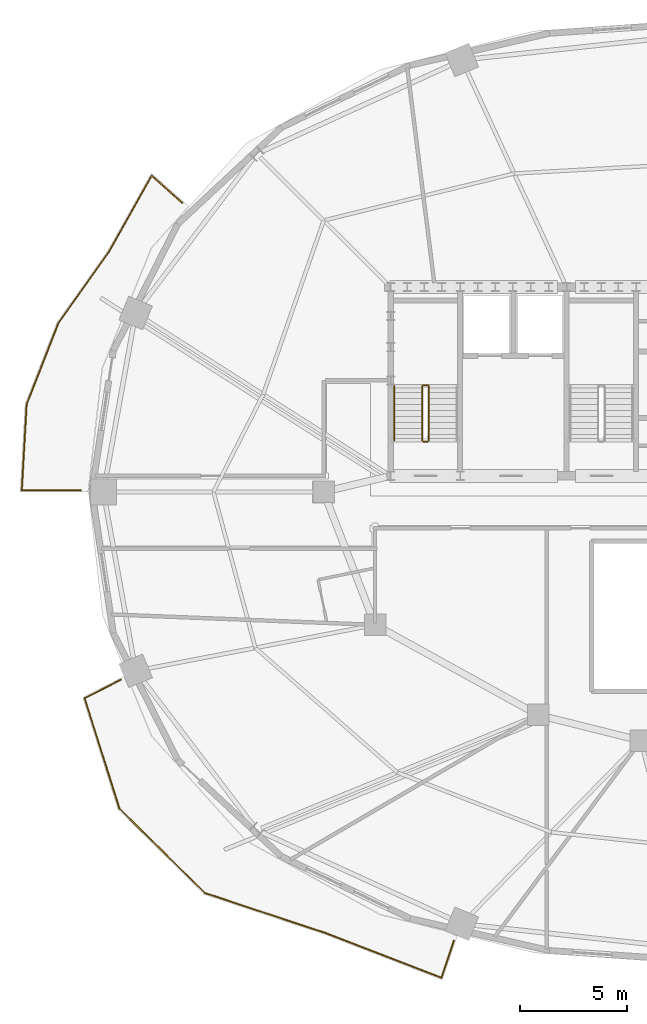
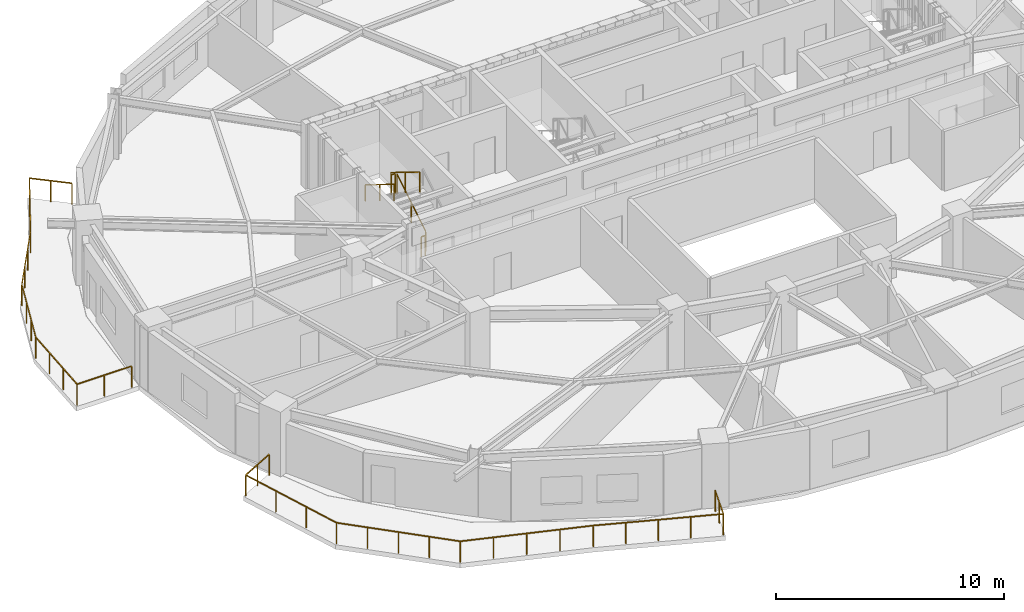
# One storey, part 7 of 11: 7 railings.
"""IFC4 building model written with IfcOpenShell, lengths in metres."""

from ifc_helpers import new_model, si_unit, direction, frame, origin, origin_2d, place, context, subcontext, project, spatial, rectangle, extrude, material, type_object, element, save


model = new_model("IFC4")

# Units and contexts
model_context = context("Model", 3, precision=1e-05, world=origin(), true_north=direction((0.0, 1.0)))
body_context = subcontext(model_context, "Body", "Model", "MODEL_VIEW")
ifc_project = project(units=[si_unit("LENGTHUNIT", "METRE"), si_unit("AREAUNIT", "SQUARE_METRE"), si_unit("VOLUMEUNIT", "CUBIC_METRE"), si_unit("PLANEANGLEUNIT", "RADIAN"), si_unit("MASSUNIT", "GRAM", prefix="KILO")], contexts=[model_context])

# Site, building, storey
site_placement = place(None, origin())
site = spatial("IfcSite", under=ifc_project, at=site_placement, CompositionType="ELEMENT")
building_placement = place(site_placement, origin())
building = spatial("IfcBuilding", under=site, at=building_placement, Name="Haldorwick Loom Tower", CompositionType="ELEMENT")
storey_placement = place(building_placement, frame((0.0, 0.0, 211.75)))
storey = spatial("IfcBuildingStorey", under=building, at=storey_placement, Name="L57", CompositionType="ELEMENT", Elevation=211.75)

# Railings
ifc_material_1 = material(Name="Galvanized Steel CSA G40.21 350W", Category="steel")
railing_type_1 = type_object("IfcRailingType", Name="ARC-RLG-BAL115", PredefinedType="BALUSTRADE", material=ifc_material_1)
railing_1_placement = place(storey_placement, frame((24.87890625, 5.0810546875, 0.0)))
element("IfcRailing", 1, at=railing_1_placement, inside=storey, type_object=railing_type_1, Name="L57 Outdoor Terrace Guardrail SLB-L57-BAL_SW-1", PredefinedType="BALUSTRADE", context=body_context, shape_type="SweptSolid", body=[
    extrude(rectangle(XDim=0.048095703125, YDim=0.048095703125, at=origin_2d()), frame((0.0, 0.0, 1.1259765625), z_axis=(-0.320504158811, -0.947247108301, 0.0), x_axis=(0.947247108301, -0.320504158811, 0.0)), (0.0, 0.0, 1.0), 1.831298828125),
    extrude(rectangle(XDim=0.048095703125, YDim=0.048095703125, at=origin_2d()), frame((-0.5869140625, -1.734619140625, 1.1259765625), z_axis=(-0.932644921505, 0.360795579783, 0.0), x_axis=(-0.360795579783, -0.932644921505, 0.0)), (0.0, 0.0, 1.0), 5.761962890625),
    extrude(rectangle(XDim=0.048095703125, YDim=0.048095703125, at=origin_2d()), frame((-5.960693359375, 0.34423828125, 1.1259765625), z_axis=(-0.928476690885, 0.371390676354, 0.0), x_axis=(-0.371390676354, -0.928476690885, 0.0)), (0.0, 0.0, 1.0), 0.00390625),
    extrude(rectangle(XDim=0.048095703125, YDim=0.048095703125, at=origin_2d()), frame((-5.96435546875, 0.345703125, 1.1259765625), z_axis=(-0.94926443568, 0.314478983642, 0.0), x_axis=(-0.314478983642, -0.94926443568, 0.0)), (0.0, 0.0, 1.0), 5.948974609375),
    extrude(rectangle(XDim=0.048095703125, YDim=0.048095703125, at=origin_2d()), frame((-11.611572265625, 2.216552734375, 1.1259765625), z_axis=(-0.711342204657, 0.702845835069, 0.0), x_axis=(-0.702845835069, -0.711342204657, 0.0)), (0.0, 0.0, 1.0), 5.603271484375),
    extrude(rectangle(XDim=0.048095703125, YDim=0.048095703125, at=origin_2d()), frame((-15.597412109375, 6.15478515625, 1.1259765625), z_axis=(-0.300921194881, 0.953649010104, 0.0), x_axis=(-0.953649010104, -0.300921194881, 0.0)), (0.0, 0.0, 1.0), 5.392822265625),
    extrude(rectangle(XDim=0.048095703125, YDim=0.048095703125, at=origin_2d()), frame((-17.22021484375, 11.297607421875, 1.1259765625), z_axis=(0.890851699435, 0.454294232425, 0.0), x_axis=(-0.454294232425, 0.890851699435, 0.0)), (0.0, 0.0, 1.0), 1.8857421875),
    extrude(rectangle(XDim=0.0419921875, YDim=0.0419921875, at=origin_2d()), origin(), (0.0, 0.0, 1.0), 1.101806640625),
    extrude(rectangle(XDim=0.0419921875, YDim=0.0419921875, at=origin_2d()), frame((-0.29345703125, -0.8671875, 0.0)), (0.0, 0.0, 1.0), 1.101806640625),
    extrude(rectangle(XDim=0.0419921875, YDim=0.0419921875, at=origin_2d()), frame((-0.5869140625, -1.734619140625, 0.0)), (0.0, 0.0, 1.0), 1.101806640625),
    extrude(rectangle(XDim=0.0419921875, YDim=0.0419921875, at=origin_2d()), frame((-1.930419921875, -1.21484375, 0.0)), (0.0, 0.0, 1.0), 1.101806640625),
    extrude(rectangle(XDim=0.0419921875, YDim=0.0419921875, at=origin_2d()), frame((-3.27392578125, -0.6953125, 0.0)), (0.0, 0.0, 1.0), 1.101806640625),
    extrude(rectangle(XDim=0.0419921875, YDim=0.0419921875, at=origin_2d()), frame((-4.6171875, -0.175537109375, 0.0)), (0.0, 0.0, 1.0), 1.101806640625),
    extrude(rectangle(XDim=0.0419921875, YDim=0.0419921875, at=origin_2d()), frame((-5.960693359375, 0.34423828125, 0.0)), (0.0, 0.0, 1.0), 1.101806640625),
    extrude(rectangle(XDim=0.0419921875, YDim=0.0419921875, at=origin_2d()), frame((-7.376220703125, 0.8134765625, 0.0)), (0.0, 0.0, 1.0), 1.101806640625),
    extrude(rectangle(XDim=0.0419921875, YDim=0.0419921875, at=origin_2d()), frame((-8.7880859375, 1.28125, 0.0)), (0.0, 0.0, 1.0), 1.101806640625),
    extrude(rectangle(XDim=0.0419921875, YDim=0.0419921875, at=origin_2d()), frame((-10.19970703125, 1.748779296875, 0.0)), (0.0, 0.0, 1.0), 1.101806640625),
    extrude(rectangle(XDim=0.0419921875, YDim=0.0419921875, at=origin_2d()), frame((-11.611572265625, 2.216552734375, 0.0)), (0.0, 0.0, 1.0), 1.101806640625),
    extrude(rectangle(XDim=0.0419921875, YDim=0.0419921875, at=origin_2d()), frame((-12.60791015625, 3.201171875, 0.0)), (0.0, 0.0, 1.0), 1.101806640625),
    extrude(rectangle(XDim=0.0419921875, YDim=0.0419921875, at=origin_2d()), frame((-13.6044921875, 4.185546875, 0.0)), (0.0, 0.0, 1.0), 1.101806640625),
    extrude(rectangle(XDim=0.0419921875, YDim=0.0419921875, at=origin_2d()), frame((-14.60107421875, 5.170166015625, 0.0)), (0.0, 0.0, 1.0), 1.101806640625),
    extrude(rectangle(XDim=0.0419921875, YDim=0.0419921875, at=origin_2d()), frame((-15.597412109375, 6.15478515625, 0.0)), (0.0, 0.0, 1.0), 1.101806640625),
    extrude(rectangle(XDim=0.0419921875, YDim=0.0419921875, at=origin_2d()), frame((-16.138427734375, 7.869140625, 0.0)), (0.0, 0.0, 1.0), 1.101806640625),
    extrude(rectangle(XDim=0.0419921875, YDim=0.0419921875, at=origin_2d()), frame((-16.67919921875, 9.583251953125, 0.0)), (0.0, 0.0, 1.0), 1.101806640625),
    extrude(rectangle(XDim=0.0419921875, YDim=0.0419921875, at=origin_2d()), frame((-17.22021484375, 11.297607421875, 0.0)), (0.0, 0.0, 1.0), 1.101806640625),
    extrude(rectangle(XDim=0.0419921875, YDim=0.0419921875, at=origin_2d()), frame((-16.38037109375, 11.72607421875, 0.0)), (0.0, 0.0, 1.0), 1.101806640625),
    extrude(rectangle(XDim=0.0419921875, YDim=0.0419921875, at=origin_2d()), frame((-15.540283203125, 12.154296875, 0.0)), (0.0, 0.0, 1.0), 1.101806640625),
])
railing_2_placement = place(storey_placement, frame((7.490478515625, 26.080078125, 0.0)))
element("IfcRailing", 2, at=railing_2_placement, inside=storey, type_object=railing_type_1, Name="L57 Outdoor Terrace Guardrail SLB-L57-BAL_WNW-1", PredefinedType="BALUSTRADE", context=body_context, shape_type="SweptSolid", body=[
    extrude(rectangle(XDim=0.048095703125, YDim=0.048095703125, at=origin_2d()), frame((0.0, 0.0, 1.1259765625), z_axis=(-1.0, 0.0, 0.0), x_axis=(0.0, -1.0, 0.0)), (0.0, 0.0, 1.0), 2.7607421875),
    extrude(rectangle(XDim=0.048095703125, YDim=0.048095703125, at=origin_2d()), frame((-2.7607421875, 0.0, 1.1259765625), z_axis=(0.056107004933, 0.99842476131, 0.0), x_axis=(-0.99842476131, 0.056107004933, 0.0)), (0.0, 0.0, 1.0), 4.011962890625),
    extrude(rectangle(XDim=0.048095703125, YDim=0.048095703125, at=origin_2d()), frame((-2.53564453125, 4.005615234375, 1.1259765625), z_axis=(0.364349606292, 0.931262242548, 0.0), x_axis=(-0.931262242548, 0.364349606292, 0.0)), (0.0, 0.0, 1.0), 4.0712890625),
    extrude(rectangle(XDim=0.048095703125, YDim=0.048095703125, at=origin_2d()), frame((-1.05224609375, 7.797119140625, 1.1259765625), z_axis=(0.578864631645, 0.815423655673, 0.0), x_axis=(-0.815423655673, 0.578864631645, 0.0)), (0.0, 0.0, 1.0), 4.0517578125),
    extrude(rectangle(XDim=0.048095703125, YDim=0.048095703125, at=origin_2d()), frame((1.293212890625, 11.10107421875, 1.1259765625), z_axis=(0.527362861778, 0.849640166198, 0.0), x_axis=(-0.849640166198, 0.527362861778, 0.0)), (0.0, 0.0, 1.0), 0.00830078125),
    extrude(rectangle(XDim=0.048095703125, YDim=0.048095703125, at=origin_2d()), frame((1.297607421875, 11.108154296875, 1.1259765625), z_axis=(0.490369152637, 0.871514827265, 0.0), x_axis=(-0.871514827265, 0.490369152637, 0.0)), (0.0, 0.0, 1.0), 4.08154296875),
    extrude(rectangle(XDim=0.048095703125, YDim=0.048095703125, at=origin_2d()), frame((3.299072265625, 14.665283203125, 1.1259765625), z_axis=(0.745999116868, -0.665946933046, 0.0), x_axis=(0.665946933046, 0.745999116868, 0.0)), (0.0, 0.0, 1.0), 1.903076171875),
    extrude(rectangle(XDim=0.0419921875, YDim=0.0419921875, at=origin_2d()), origin(), (0.0, 0.0, 1.0), 1.101806640625),
    extrude(rectangle(XDim=0.0419921875, YDim=0.0419921875, at=origin_2d()), frame((-1.38037109375, 0.0, 0.0)), (0.0, 0.0, 1.0), 1.101806640625),
    extrude(rectangle(XDim=0.0419921875, YDim=0.0419921875, at=origin_2d()), frame((-2.7607421875, 0.0, 0.0)), (0.0, 0.0, 1.0), 1.101806640625),
    extrude(rectangle(XDim=0.0419921875, YDim=0.0419921875, at=origin_2d()), frame((-2.685791015625, 1.335205078125, 0.0)), (0.0, 0.0, 1.0), 1.101806640625),
    extrude(rectangle(XDim=0.0419921875, YDim=0.0419921875, at=origin_2d()), frame((-2.610595703125, 2.67041015625, 0.0)), (0.0, 0.0, 1.0), 1.101806640625),
    extrude(rectangle(XDim=0.0419921875, YDim=0.0419921875, at=origin_2d()), frame((-2.53564453125, 4.005615234375, 0.0)), (0.0, 0.0, 1.0), 1.101806640625),
    extrude(rectangle(XDim=0.0419921875, YDim=0.0419921875, at=origin_2d()), frame((-2.041259765625, 5.26953125, 0.0)), (0.0, 0.0, 1.0), 1.101806640625),
    extrude(rectangle(XDim=0.0419921875, YDim=0.0419921875, at=origin_2d()), frame((-1.546630859375, 6.533203125, 0.0)), (0.0, 0.0, 1.0), 1.101806640625),
    extrude(rectangle(XDim=0.0419921875, YDim=0.0419921875, at=origin_2d()), frame((-1.05224609375, 7.797119140625, 0.0)), (0.0, 0.0, 1.0), 1.101806640625),
    extrude(rectangle(XDim=0.0419921875, YDim=0.0419921875, at=origin_2d()), frame((-0.2705078125, 8.8984375, 0.0)), (0.0, 0.0, 1.0), 1.101806640625),
    extrude(rectangle(XDim=0.0419921875, YDim=0.0419921875, at=origin_2d()), frame((0.511474609375, 9.999755859375, 0.0)), (0.0, 0.0, 1.0), 1.101806640625),
    extrude(rectangle(XDim=0.0419921875, YDim=0.0419921875, at=origin_2d()), frame((1.293212890625, 11.10107421875, 0.0)), (0.0, 0.0, 1.0), 1.101806640625),
    extrude(rectangle(XDim=0.0419921875, YDim=0.0419921875, at=origin_2d()), frame((1.96484375, 12.2939453125, 0.0)), (0.0, 0.0, 1.0), 1.101806640625),
    extrude(rectangle(XDim=0.0419921875, YDim=0.0419921875, at=origin_2d()), frame((2.6318359375, 13.4794921875, 0.0)), (0.0, 0.0, 1.0), 1.101806640625),
    extrude(rectangle(XDim=0.0419921875, YDim=0.0419921875, at=origin_2d()), frame((3.299072265625, 14.665283203125, 0.0)), (0.0, 0.0, 1.0), 1.101806640625),
    extrude(rectangle(XDim=0.0419921875, YDim=0.0419921875, at=origin_2d()), frame((4.0087890625, 14.03173828125, 0.0)), (0.0, 0.0, 1.0), 1.101806640625),
    extrude(rectangle(XDim=0.0419921875, YDim=0.0419921875, at=origin_2d()), frame((4.71875, 13.39794921875, 0.0)), (0.0, 0.0, 1.0), 1.101806640625),
])
ifc_material_2 = material(Name="Steel CSA G40.21 350W", Category="steel")
railing_type_2 = type_object("IfcRailingType", Name="ARC-RLG-GUARD112", PredefinedType="GUARDRAIL", material=ifc_material_2)
railing_3_placement = place(storey_placement, frame((23.699951171875, 28.39990234375, 0.172607421875)))
element("IfcRailing", 3, at=railing_3_placement, inside=storey, type_object=railing_type_2, Name="L57 ST-01 stair guard 1", PredefinedType="GUARDRAIL", context=body_context, shape_type="SweptSolid", body=[
    extrude(rectangle(XDim=0.048095703125, YDim=0.048095703125, at=origin_2d()), frame((0.0, 0.0, 1.076171875), z_axis=(0.0, 0.851400495292, 0.524516154772), x_axis=(-1.0, 0.0, 0.0)), (0.0, 0.0, 1.0), 2.9599609375),
    extrude(rectangle(XDim=0.0419921875, YDim=0.0419921875, at=origin_2d()), origin(), (0.0, 0.0, 1.0), 1.052001953125),
    extrude(rectangle(XDim=0.0419921875, YDim=0.0419921875, at=origin_2d()), frame((0.0, 1.260009765625, 0.7763671875)), (0.0, 0.0, 1.0), 1.052001953125),
    extrude(rectangle(XDim=0.0419921875, YDim=0.0419921875, at=origin_2d()), frame((0.0, 2.52001953125, 1.552490234375)), (0.0, 0.0, 1.0), 1.052001953125),
])
railing_4_placement = place(storey_placement, frame((23.64990234375, 30.969970703125, 1.72509765625)))
element("IfcRailing", 4, at=railing_4_placement, inside=storey, type_object=railing_type_2, Name="L57 ST-01 stair guard 2", PredefinedType="GUARDRAIL", context=body_context, shape_type="SweptSolid", body=[
    extrude(rectangle(XDim=0.048095703125, YDim=0.048095703125, at=origin_2d()), frame((0.0, 0.0, 1.076171875), z_axis=(-1.0, 0.0, 0.0), x_axis=(0.0, -1.0, 0.0)), (0.0, 0.0, 1.0), 0.199951171875),
    extrude(rectangle(XDim=0.0419921875, YDim=0.0419921875, at=origin_2d()), origin(), (0.0, 0.0, 1.0), 1.052001953125),
    extrude(rectangle(XDim=0.0419921875, YDim=0.0419921875, at=origin_2d()), frame((-0.199951171875, 0.0, 0.0)), (0.0, 0.0, 1.0), 1.052001953125),
])
railing_5_placement = place(storey_placement, frame((23.39990234375, 30.919921875, 1.8974609375)))
element("IfcRailing", 5, at=railing_5_placement, inside=storey, type_object=railing_type_2, Name="L57 ST-01 stair guard 3", PredefinedType="GUARDRAIL", context=body_context, shape_type="SweptSolid", body=[
    extrude(rectangle(XDim=0.048095703125, YDim=0.048095703125, at=origin_2d()), frame((0.0, 0.0, 1.076171875), z_axis=(0.0, -0.851400495292, 0.524516154772), x_axis=(1.0, 0.0, 0.0)), (0.0, 0.0, 1.0), 2.9599609375),
    extrude(rectangle(XDim=0.0419921875, YDim=0.0419921875, at=origin_2d()), origin(), (0.0, 0.0, 1.0), 1.052001953125),
    extrude(rectangle(XDim=0.0419921875, YDim=0.0419921875, at=origin_2d()), frame((0.0, -1.260009765625, 0.7763671875)), (0.0, 0.0, 1.0), 1.052001953125),
    extrude(rectangle(XDim=0.0419921875, YDim=0.0419921875, at=origin_2d()), frame((0.0, -2.52001953125, 1.552490234375)), (0.0, 0.0, 1.0), 1.052001953125),
])
railing_6_placement = place(storey_placement, frame((23.64990234375, 28.35009765625, 0.0)))
element("IfcRailing", 6, at=railing_6_placement, inside=storey, type_object=railing_type_2, Name="L57 ST-01 stair guard 4", PredefinedType="GUARDRAIL", context=body_context, shape_type="SweptSolid", body=[
    extrude(rectangle(XDim=0.048095703125, YDim=0.048095703125, at=origin_2d()), frame((0.0, 0.0, 1.076171875), z_axis=(-1.0, 0.0, 0.0), x_axis=(0.0, -1.0, 0.0)), (0.0, 0.0, 1.0), 0.199951171875),
    extrude(rectangle(XDim=0.0419921875, YDim=0.0419921875, at=origin_2d()), origin(), (0.0, 0.0, 1.0), 1.052001953125),
    extrude(rectangle(XDim=0.0419921875, YDim=0.0419921875, at=origin_2d()), frame((-0.199951171875, 0.0, 0.0)), (0.0, 0.0, 1.0), 1.052001953125),
])
railing_type_3 = type_object("IfcRailingType", Name="ARC-RLG-HAND092", PredefinedType="HANDRAIL", material=ifc_material_2)
railing_7_placement = place(storey_placement, frame((22.10009765625, 30.919921875, 1.8974609375)))
element("IfcRailing", 7, at=railing_7_placement, inside=storey, type_object=railing_type_3, Name="L57 ST-01 stair handrail 2", PredefinedType="HANDRAIL", context=body_context, shape_type="SweptSolid", body=[
    extrude(rectangle(XDim=0.048095703125, YDim=0.048095703125, at=origin_2d()), frame((0.0, 0.0, 0.8759765625), z_axis=(0.0, -0.851400495292, 0.524516154772), x_axis=(1.0, 0.0, 0.0)), (0.0, 0.0, 1.0), 2.9599609375),
    extrude(rectangle(XDim=0.0419921875, YDim=0.0419921875, at=origin_2d()), origin(), (0.0, 0.0, 1.0), 0.851806640625),
    extrude(rectangle(XDim=0.0419921875, YDim=0.0419921875, at=origin_2d()), frame((0.0, -1.260009765625, 0.7763671875)), (0.0, 0.0, 1.0), 0.851806640625),
    extrude(rectangle(XDim=0.0419921875, YDim=0.0419921875, at=origin_2d()), frame((0.0, -2.52001953125, 1.552490234375)), (0.0, 0.0, 1.0), 0.851806640625),
])

save(model, "model.ifc")
